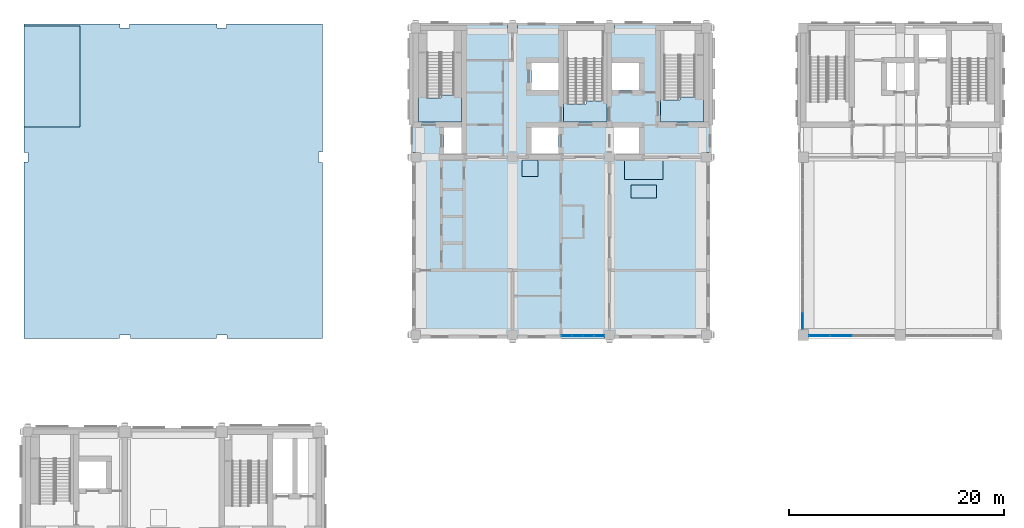
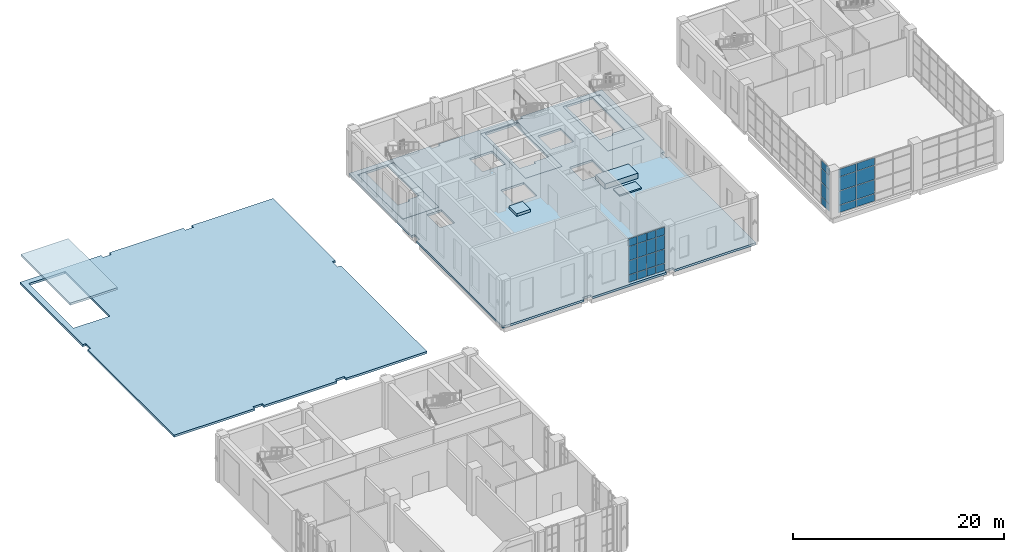
# One storey, part 15 of 33: 28 plates, 9 slabs, 6 elements without a shape of their own.
"""IFC4 building model written with IfcOpenShell, lengths in metres."""

import ifcopenshell
import ifcopenshell.guid

model = None  # the IFC model being written
_history = None  # IfcOwnerHistory: only IFC2X3 demands one
_inside = {}  # id of a spatial element -> (the spatial element, [elements in it])
_under = {}  # id of a project, library or spatial element -> (it, [spatial elements below it])
_declared = {}  # id of a project -> (the project, [libraries it declares])
_typed = {}  # id of a type object -> (the type object, [elements of that type])
_made_of = {}  # id of a material, layer set ... -> (it, [elements and type objects made of it])


def new_model(schema):
    """Start an empty IFC model of exactly this schema.

    Asked for "IFC4X3", IfcOpenShell would pick the latest addendum, in which some entities
    have other attributes; the version numbers below select the first issue.
    IFC2X3 requires an IfcOwnerHistory on every rooted entity: one is made here for all.
    """
    global model, _history
    if schema == "IFC4X3":
        model = ifcopenshell.file(schema_version=(4, 3, 0, 0))
    else:
        model = ifcopenshell.file(schema=schema)
    _inside.clear()
    _under.clear()
    _declared.clear()
    _typed.clear()
    _made_of.clear()
    _history = None
    if model.schema == "IFC2X3":
        org = make("IfcOrganization", Name="unknown")
        user = make(
            "IfcPersonAndOrganization",
            ThePerson=make("IfcPerson", FamilyName="unknown"),
            TheOrganization=org,
        )
        app = make(
            "IfcApplication",
            ApplicationDeveloper=org,
            Version="unknown",
            ApplicationFullName="unknown",
            ApplicationIdentifier="unknown",
        )
        _history = make(
            "IfcOwnerHistory",
            OwningUser=user,
            OwningApplication=app,
            ChangeAction="ADDED",
            CreationDate=0,
        )
    return model


def make(cls, **values):
    """One entity of the class cls with the attributes given. An attribute that is None is left unset."""
    return model.create_entity(
        cls, **{name: value for name, value in values.items() if value is not None}
    )


def rooted(cls, **values):
    """An entity with a GlobalId (a new one), such as an element, a storey or a relation."""
    return make(cls, GlobalId=ifcopenshell.guid.new(), OwnerHistory=_history, **values)


def si_unit(unit_type, name, prefix=None):
    """IfcSIUnit, for example si_unit("LENGTHUNIT", "METRE", prefix="MILLI")."""
    return make("IfcSIUnit", UnitType=unit_type, Prefix=prefix, Name=name)


def assignment(units):
    """IfcUnitAssignment: the units of a project."""
    return None if units is None else make("IfcUnitAssignment", Units=units)


def point(xyz):
    """IfcCartesianPoint."""
    return None if xyz is None else make("IfcCartesianPoint", Coordinates=xyz)


def direction(xyz):
    """IfcDirection."""
    return None if xyz is None else make("IfcDirection", DirectionRatios=xyz)


def frame(location, z_axis=None, x_axis=None):
    """IfcAxis2Placement3D, a coordinate frame: its origin and axes. An axis left out is left unset."""
    return make(
        "IfcAxis2Placement3D",
        Location=point(location),
        Axis=direction(z_axis),
        RefDirection=direction(x_axis),
    )


def frame_2d(location, x_axis=None):
    """IfcAxis2Placement2D, a coordinate frame in the plane: its origin and x axis."""
    return make(
        "IfcAxis2Placement2D", Location=point(location), RefDirection=direction(x_axis)
    )


def origin():
    """The frame at (0, 0, 0) with its axes left unset."""
    return frame((0.0, 0.0, 0.0))


def origin_2d():
    """The frame at (0, 0) in the plane with its x axis left unset."""
    return frame_2d((0.0, 0.0))


def place(relative_to, where):
    """IfcLocalPlacement: puts the frame where relative to a parent placement (None: the world)."""
    return make(
        "IfcLocalPlacement", PlacementRelTo=relative_to, RelativePlacement=where
    )


def context(
    kind, dimensions, precision=None, world=None, true_north=None, identifier=None
):
    """IfcGeometricRepresentationContext, for example the 3D "Model" context."""
    return make(
        "IfcGeometricRepresentationContext",
        ContextIdentifier=identifier,
        ContextType=kind,
        CoordinateSpaceDimension=dimensions,
        Precision=precision,
        WorldCoordinateSystem=world,
        TrueNorth=true_north,
    )


def subcontext(parent, identifier, kind, view, scale=None):
    """IfcGeometricRepresentationSubContext, for example "Body" below "Model"."""
    return make(
        "IfcGeometricRepresentationSubContext",
        ContextIdentifier=identifier,
        ContextType=kind,
        ParentContext=parent,
        TargetScale=scale,
        TargetView=view,
    )


def project(units=None, contexts=None):
    """IfcProject with its units and contexts."""
    return rooted(
        "IfcProject",
        Name="project",
        RepresentationContexts=contexts,
        UnitsInContext=assignment(units),
    )


def spatial(cls, under=None, at=None, **own):
    """A site, building, storey or space (cls), placed at a placement, below another one or the project."""
    s = rooted(cls, ObjectPlacement=at, **own)
    if under is not None:
        _under.setdefault(under.id(), (under, []))[1].append(s)
    return s


def polyline(points):
    """IfcPolyline through the points."""
    return make("IfcPolyline", Points=[point(p) for p in points])


def profile(cls, at=None, kind="AREA", **sizes):
    """A parametric profile (cls). Its sizes go by their IFC names, for example OverallWidth=200.0."""
    return make(cls, ProfileType=kind, Position=at, **sizes)


def rectangle(**sizes):
    """IfcRectangleProfileDef."""
    return profile("IfcRectangleProfileDef", **sizes)


def outline(outer, holes=None, kind="AREA"):
    """IfcArbitraryClosedProfileDef: a profile drawn as a closed curve; with holes, ...WithVoids."""
    if holes is None:
        return make("IfcArbitraryClosedProfileDef", ProfileType=kind, OuterCurve=outer)
    return make(
        "IfcArbitraryProfileDefWithVoids",
        ProfileType=kind,
        OuterCurve=outer,
        InnerCurves=holes,
    )


def extrude(swept, where, along, depth):
    """IfcExtrudedAreaSolid: the profile swept, set in the frame where, extruded along a direction by depth."""
    return make(
        "IfcExtrudedAreaSolid",
        SweptArea=swept,
        Position=where,
        ExtrudedDirection=direction(along),
        Depth=depth,
    )


def shape(context_of_items, identifier, shape_type, items):
    """IfcShapeRepresentation: the items that make up one representation, for example the "Body"."""
    return make(
        "IfcShapeRepresentation",
        ContextOfItems=context_of_items,
        RepresentationIdentifier=identifier,
        RepresentationType=shape_type,
        Items=items,
    )


def material(Name=None, Category=None):
    """IfcMaterial."""
    return make("IfcMaterial", Name=Name, Category=Category)


def layer(
    of_material, thickness, ventilated=None, Name=None, Category=None, Priority=None
):
    """IfcMaterialLayer: one layer of a wall or slab, of a material (None: an air gap)."""
    return make(
        "IfcMaterialLayer",
        Material=of_material,
        LayerThickness=thickness,
        IsVentilated=ventilated,
        Name=Name,
        Category=Category,
        Priority=Priority,
    )


def layer_set(layers, Name=None):
    """IfcMaterialLayerSet."""
    return make("IfcMaterialLayerSet", MaterialLayers=layers, LayerSetName=Name)


def made_of(thing, what):
    """Note that an element or type object is made of a material, layer set ...; save() writes the relation."""
    if what is not None:
        _made_of.setdefault(what.id(), (what, []))[1].append(thing)
    return thing


def type_object(cls, material=None, **own):
    """A type object (cls), such as IfcWallType, which elements share."""
    return made_of(rooted(cls, **own), material)


def element(
    cls,
    number,
    at=None,
    inside=None,
    cuts=None,
    type_object=None,
    material=None,
    context=None,
    identifier="Body",
    shape_type=None,
    held_by="IfcProductDefinitionShape",
    body=None,
    shapes=None,
    **own,
):
    """One element of the class cls, such as IfcWall. Its Tag is "e" and its number.

    at: its placement. inside: the storey or other place that contains it. cuts: it is an
    opening in that element (IfcRelVoidsElement). A single representation is given by context,
    identifier, shape_type and body (its items); several are given by shapes. held_by: the class
    of the entity that holds the representations. save() writes the other relations.
    """
    e = rooted(cls, Tag="e%d" % number, ObjectPlacement=at, **own)
    if body is not None:
        shapes = [shape(context, identifier, shape_type, body)]
    if shapes is not None:
        e.Representation = make(held_by, Representations=shapes)
    if inside is not None:
        _inside.setdefault(inside.id(), (inside, []))[1].append(e)
    if cuts is not None:
        rooted(
            "IfcRelVoidsElement", RelatingBuildingElement=cuts, RelatedOpeningElement=e
        )
    if type_object is not None:
        _typed.setdefault(type_object.id(), (type_object, []))[1].append(e)
    return made_of(e, material)


def aggregate(whole, parts):
    """IfcRelAggregates: a whole, such as a stair, and the parts it consists of."""
    return rooted("IfcRelAggregates", RelatingObject=whole, RelatedObjects=parts)


def save(model, path):
    """Write the relations noted so far, then the file.

    IfcRelAggregates (storeys below a building ...), IfcRelContainedInSpatialStructure (elements
    in a storey), IfcRelDefinesByType, IfcRelAssociatesMaterial and IfcRelDeclares: one each for
    every whole, place, type object, material and project.
    """
    for whole, parts in _under.values():
        aggregate(whole, parts)
    for where, things in _inside.values():
        rooted(
            "IfcRelContainedInSpatialStructure",
            RelatedElements=things,
            RelatingStructure=where,
        )
    for kind, things in _typed.values():
        rooted("IfcRelDefinesByType", RelatedObjects=things, RelatingType=kind)
    for what, things in _made_of.values():
        rooted("IfcRelAssociatesMaterial", RelatedObjects=things, RelatingMaterial=what)
    for by, libraries in _declared.values():
        rooted("IfcRelDeclares", RelatingContext=by, RelatedDefinitions=libraries)
    model.write(path)


model = new_model("IFC4")

# Units and contexts
model_context = context("Model", 3, precision=1e-05, world=origin(), true_north=direction((0.0, 1.0)))
body_context = subcontext(model_context, "Body", "Model", "MODEL_VIEW")
ifc_project = project(units=[si_unit("LENGTHUNIT", "METRE"), si_unit("AREAUNIT", "SQUARE_METRE"), si_unit("VOLUMEUNIT", "CUBIC_METRE"), si_unit("PLANEANGLEUNIT", "RADIAN"), si_unit("MASSUNIT", "GRAM", prefix="KILO")], contexts=[model_context])

# Site, building, storey
site_placement = place(None, origin())
site = spatial("IfcSite", under=ifc_project, at=site_placement, CompositionType="ELEMENT")
building_placement = place(site_placement, origin())
building = spatial("IfcBuilding", under=site, at=building_placement, Name="Aurelan Courthouse", CompositionType="ELEMENT")
storey_placement = place(building_placement, frame((0.0, 0.0, 22.800048828125)))
storey = spatial("IfcBuildingStorey", under=building, at=storey_placement, Name="L04", CompositionType="ELEMENT", Elevation=22.800048828125)

# Curtain wall, plates
ifc_material_1 = material(Name="Bronze-finished aluminium and glass", Category="aluminium")
ifc_layer_1 = layer(ifc_material_1, 0.14990234375)
ifc_layer_set_1 = layer_set([ifc_layer_1], Name="Bronze-finished aluminium and glass")
curtain_wall_type_1 = type_object("IfcCurtainWallType", Name="Curtain wall 8000 x 5150", PredefinedType="NOTDEFINED", material=ifc_layer_set_1)
curtain_wall_1_placement = place(storey_placement, origin())
curtain_wall_1 = element("IfcCurtainWall", 1, at=curtain_wall_1_placement, inside=storey, type_object=curtain_wall_type_1, Name="Curtain wall CW-V3-L04-S01", PredefinedType="NOTDEFINED")
ifc_material_2 = material(Name="Bronze-finished aluminium", Category="aluminium")
ifc_layer_2 = layer(ifc_material_2, 0.070068359375)
ifc_layer_set_2 = layer_set([ifc_layer_2], Name="Bronze-finished aluminium")
plate_type_1 = type_object("IfcPlateType", Name="Bronze spandrel panel 70", PredefinedType="CURTAIN_PANEL", material=ifc_layer_set_2)
plate_1_placement = place(storey_placement, frame((73.514892578125, 37.425048828125, 4.22998046875), z_axis=(0.0, 0.0, 1.0), x_axis=(1.0, 0.0, 0.0)))
plate_1 = element("IfcPlate", 2, at=plate_1_placement, type_object=plate_type_1, Name="CW-V3-L04-S01 spandrel panel 1.4", PredefinedType="CURTAIN_PANEL", context=body_context, shape_type="SweptSolid", body=[
    extrude(rectangle(XDim=1.909912109375, YDim=0.070068359375, at=origin_2d()), origin(), (0.0, 0.0, 1.0), 0.860107421875),
])
plate_2_placement = place(storey_placement, frame((75.5, 37.425048828125, 4.22998046875), z_axis=(0.0, 0.0, 1.0), x_axis=(1.0, 0.0, 0.0)))
plate_2 = element("IfcPlate", 3, at=plate_2_placement, type_object=plate_type_1, Name="CW-V3-L04-S01 spandrel panel 2.4", PredefinedType="CURTAIN_PANEL", context=body_context, shape_type="SweptSolid", body=[
    extrude(rectangle(XDim=1.93994140625, YDim=0.070068359375, at=origin_2d()), origin(), (0.0, 0.0, 1.0), 0.860107421875),
])

# Curtain wall, plate
ifc_layer_3 = layer(ifc_material_1, 0.14990234375)
ifc_layer_set_3 = layer_set([ifc_layer_3], Name="Bronze-finished aluminium and glass")
curtain_wall_type_2 = type_object("IfcCurtainWallType", Name="Curtain wall 15500 x 5150", PredefinedType="NOTDEFINED", material=ifc_layer_set_3)
curtain_wall_2_placement = place(storey_placement, origin())
curtain_wall_2 = element("IfcCurtainWall", 4, at=curtain_wall_2_placement, inside=storey, type_object=curtain_wall_type_2, Name="Curtain wall CW-V3-L04-W01", PredefinedType="NOTDEFINED")
plate_3_placement = place(storey_placement, frame((71.925048828125, 38.7900390625, 4.22998046875), z_axis=(0.0, 0.0, 1.0), x_axis=(0.0, 1.0, 0.0)))
plate_3 = element("IfcPlate", 5, at=plate_3_placement, type_object=plate_type_1, Name="CW-V3-L04-W01 spandrel panel 1.4", PredefinedType="CURTAIN_PANEL", context=body_context, shape_type="SweptSolid", body=[
    extrude(rectangle(XDim=1.4599609375, YDim=0.070068359375, at=origin_2d()), origin(), (0.0, 0.0, 1.0), 0.860107421875),
])

# Curtain wall, plates
ifc_layer_4 = layer(ifc_material_1, 0.14990234375)
ifc_layer_set_4 = layer_set([ifc_layer_4], Name="Bronze-finished aluminium and glass")
curtain_wall_type_3 = type_object("IfcCurtainWallType", Name="Curtain wall 4050 x 5150", PredefinedType="NOTDEFINED", material=ifc_layer_set_4)
curtain_wall_3_placement = place(storey_placement, origin())
curtain_wall_3 = element("IfcCurtainWall", 6, at=curtain_wall_3_placement, inside=storey, type_object=curtain_wall_type_3, Name="Curtain wall CW-V2-L04-S01", PredefinedType="NOTDEFINED")
ifc_layer_5 = layer(ifc_material_2, 0.080078125)
ifc_layer_set_5 = layer_set([ifc_layer_5], Name="Bronze-finished aluminium")
plate_type_2 = type_object("IfcPlateType", Name="Bronze spandrel panel 80", PredefinedType="CURTAIN_PANEL", material=ifc_layer_set_5)
plate_4_placement = place(storey_placement, frame((50.018798828125, 37.425048828125, 4.224853515625), z_axis=(0.0, 0.0, 1.0), x_axis=(1.0, 0.0, 0.0)))
plate_4 = element("IfcPlate", 7, at=plate_4_placement, type_object=plate_type_2, Name="CW-V2-L04-S01 spandrel panel 1.4", PredefinedType="CURTAIN_PANEL", context=body_context, shape_type="SweptSolid", body=[
    extrude(rectangle(XDim=0.9375, YDim=0.080078125, at=origin_2d()), origin(), (0.0, 0.0, 1.0), 0.875),
])
plate_5_placement = place(storey_placement, frame((51.018798828125, 37.425048828125, 4.224853515625), z_axis=(0.0, 0.0, 1.0), x_axis=(1.0, 0.0, 0.0)))
plate_5 = element("IfcPlate", 8, at=plate_5_placement, type_object=plate_type_2, Name="CW-V2-L04-S01 spandrel panel 2.4", PredefinedType="CURTAIN_PANEL", context=body_context, shape_type="SweptSolid", body=[
    extrude(rectangle(XDim=0.96240234375, YDim=0.080078125, at=origin_2d()), origin(), (0.0, 0.0, 1.0), 0.875),
])
plate_6_placement = place(storey_placement, frame((52.03125, 37.425048828125, 4.224853515625), z_axis=(0.0, 0.0, 1.0), x_axis=(1.0, 0.0, 0.0)))
plate_6 = element("IfcPlate", 9, at=plate_6_placement, type_object=plate_type_2, Name="CW-V2-L04-S01 spandrel panel 3.4", PredefinedType="CURTAIN_PANEL", context=body_context, shape_type="SweptSolid", body=[
    extrude(rectangle(XDim=0.96240234375, YDim=0.080078125, at=origin_2d()), origin(), (0.0, 0.0, 1.0), 0.875),
])
plate_7_placement = place(storey_placement, frame((53.03125, 37.425048828125, 4.224853515625), z_axis=(0.0, 0.0, 1.0), x_axis=(1.0, 0.0, 0.0)))
plate_7 = element("IfcPlate", 10, at=plate_7_placement, type_object=plate_type_2, Name="CW-V2-L04-S01 spandrel panel 4.4", PredefinedType="CURTAIN_PANEL", context=body_context, shape_type="SweptSolid", body=[
    extrude(rectangle(XDim=0.9375, YDim=0.080078125, at=origin_2d()), origin(), (0.0, 0.0, 1.0), 0.875),
])

# Slabs
ifc_material_3 = material(Name="Concrete C30", Category="concrete")
ifc_layer_6 = layer(ifc_material_3, 0.14990234375)
ifc_layer_set_6 = layer_set([ifc_layer_6], Name="Concrete C30")
slab_type_1 = type_object("IfcSlabType", Name="Clerk's dais 150", PredefinedType="FLOOR", material=ifc_layer_set_6)
slab_1_placement = place(storey_placement, origin())
element("IfcSlab", 11, at=slab_1_placement, inside=storey, type_object=slab_type_1, Name="Clerk's dais Family Courtroom 2.04.01", PredefinedType="FLOOR", context=body_context, shape_type="SweptSolid", body=[
    extrude(outline(polyline([(55.97509765625, 50.22509765625), (58.375, 50.22509765625), (58.375, 51.425048828125), (55.97509765625, 51.425048828125), (55.97509765625, 50.22509765625)])), origin(), (0.0, 0.0, 1.0), 0.14990234375),
])
ifc_material_4 = material(Name="Concrete C40", Category="concrete")
ifc_layer_7 = layer(ifc_material_4, 0.25)
ifc_layer_set_7 = layer_set([ifc_layer_7], Name="Concrete C40")
slab_type_2 = type_object("IfcSlabType", Name="Head house roof slab 250", PredefinedType="ROOF", material=ifc_layer_set_7)
slab_2_placement = place(storey_placement, frame((0.0, 0.0, 3.099853515625)))
element("IfcSlab", 12, at=slab_2_placement, inside=storey, type_object=slab_type_2, Name="Head house roof HH-ST-6", PredefinedType="ROOF", context=body_context, shape_type="SweptSolid", body=[
    extrude(outline(polyline([(-0.35009765625, 56.824951171875), (4.85009765625, 56.824951171875), (4.85009765625, 66.175048828125), (-0.35009765625, 66.175048828125), (-0.35009765625, 56.824951171875)])), origin(), (0.0, 0.0, 1.0), 0.25),
])
ifc_layer_8 = layer(ifc_material_3, 0.610107421875)
ifc_layer_set_8 = layer_set([ifc_layer_8], Name="Concrete C30")
slab_type_3 = type_object("IfcSlabType", Name="Judge's bench dais 610", PredefinedType="FLOOR", material=ifc_layer_set_8)
slab_3_placement = place(storey_placement, origin())
element("IfcSlab", 13, at=slab_3_placement, inside=storey, type_object=slab_type_3, Name="Judge's bench dais Family Courtroom 2.04.01", PredefinedType="FLOOR", context=body_context, shape_type="SweptSolid", body=[
    extrude(outline(polyline([(55.375, 51.925048828125), (58.97509765625, 51.925048828125), (58.97509765625, 53.72509765625), (55.375, 53.72509765625), (55.375, 51.925048828125)])), origin(), (0.0, 0.0, 1.0), 0.60986328125),
])
ifc_layer_9 = layer(ifc_material_4, 0.25)
ifc_layer_set_9 = layer_set([ifc_layer_9], Name="Concrete C40")
slab_type_4 = type_object("IfcSlabType", Name="PT floor slab 250", PredefinedType="FLOOR", material=ifc_layer_set_9)
slab_4_placement = place(storey_placement, frame((0.0, 0.0, -0.25)))
element("IfcSlab", 14, at=slab_4_placement, inside=storey, type_object=slab_type_4, Name="Floor slab SL-L04-01", PredefinedType="FLOOR", context=body_context, shape_type="SweptSolid", body=[
    extrude(outline(polyline([(35.64990234375, 66.35009765625), (35.64990234375, 65.550048828125), (35.64990234375, 54.449951171875), (36.0, 54.449951171875), (36.0, 53.550048828125), (35.64990234375, 53.550048828125), (35.64990234375, 37.949951171875), (35.64990234375, 37.14990234375), (36.449951171875, 37.14990234375), (44.550048828125, 37.14990234375), (44.550048828125, 37.5), (45.449951171875, 37.5), (45.449951171875, 37.14990234375), (53.550048828125, 37.14990234375), (53.550048828125, 37.5), (54.449951171875, 37.5), (54.449951171875, 37.14990234375), (62.550048828125, 37.14990234375), (63.35009765625, 37.14990234375), (63.35009765625, 37.949951171875), (63.35009765625, 53.550048828125), (63.0, 53.550048828125), (63.0, 54.449951171875), (63.35009765625, 54.449951171875), (63.35009765625, 65.550048828125), (63.35009765625, 66.35009765625), (62.550048828125, 66.35009765625), (54.449951171875, 66.35009765625), (54.449951171875, 66.0), (53.550048828125, 66.0), (53.550048828125, 66.35009765625), (45.449951171875, 66.35009765625), (45.449951171875, 66.0), (44.550048828125, 66.0), (44.550048828125, 66.35009765625), (36.449951171875, 66.35009765625), (35.64990234375, 66.35009765625)]), holes=[polyline([(58.75, 65.75), (62.75, 65.75), (62.75, 57.25), (58.75, 57.25), (58.75, 65.75)]), polyline([(56.75, 56.75), (56.75, 54.25), (54.25, 54.25), (54.25, 56.75), (56.75, 56.75)]), polyline([(56.75, 60.25), (54.25, 60.25), (54.25, 62.75), (56.75, 62.75), (56.75, 60.25)]), polyline([(49.75, 57.25), (49.75, 65.75), (53.75, 65.75), (53.75, 57.25), (49.75, 57.25)]), polyline([(46.75, 56.75), (49.25, 56.75), (49.25, 54.25), (46.75, 54.25), (46.75, 56.75)]), polyline([(46.75, 60.25), (46.75, 62.75), (49.25, 62.75), (49.25, 60.25), (46.75, 60.25)]), polyline([(40.25, 56.75), (40.25, 54.25), (38.64990234375, 54.25), (38.64990234375, 56.75), (40.25, 56.75)]), polyline([(40.25, 57.25), (36.25, 57.25), (36.25, 65.75), (40.25, 65.75), (40.25, 57.25)])]), origin(), (0.0, 0.0, 1.0), 0.25),
])
ifc_layer_10 = layer(ifc_material_4, 0.25)
ifc_layer_set_10 = layer_set([ifc_layer_10], Name="Concrete C40")
slab_type_5 = type_object("IfcSlabType", Name="Roof slab 250", PredefinedType="ROOF", material=ifc_layer_set_10)
slab_5_placement = place(storey_placement, frame((0.0, 0.0, -0.25)))
element("IfcSlab", 15, at=slab_5_placement, inside=storey, type_object=slab_type_5, Name="Roof slab V6 SL-L03-05", PredefinedType="ROOF", context=body_context, shape_type="SweptSolid", body=[
    extrude(outline(polyline([(-0.35009765625, 37.14990234375), (0.449951171875, 37.14990234375), (8.5, 37.14990234375), (8.5, 37.5), (9.5, 37.5), (9.5, 37.14990234375), (17.5, 37.14990234375), (17.5, 37.5), (18.5, 37.5), (18.5, 37.14990234375), (26.5, 37.14990234375), (27.35009765625, 37.14990234375), (27.35009765625, 38.0), (27.35009765625, 53.5), (27.0, 53.5), (27.0, 54.5), (27.35009765625, 54.5), (27.35009765625, 65.550048828125), (27.35009765625, 66.35009765625), (26.550048828125, 66.35009765625), (18.449951171875, 66.35009765625), (18.449951171875, 66.0), (17.550048828125, 66.0), (17.550048828125, 66.35009765625), (9.449951171875, 66.35009765625), (9.449951171875, 66.0), (8.550048828125, 66.0), (8.550048828125, 66.35009765625), (0.449951171875, 66.35009765625), (-0.35009765625, 66.35009765625), (-0.35009765625, 65.550048828125), (-0.35009765625, 54.449951171875), (0.0, 54.449951171875), (0.0, 53.550048828125), (-0.35009765625, 53.550048828125), (-0.35009765625, 37.949951171875), (-0.35009765625, 37.14990234375)]), holes=[polyline([(4.25, 65.75), (4.25, 57.25), (0.25, 57.25), (0.25, 65.75), (4.25, 65.75)])]), origin(), (0.0, 0.0, 1.0), 0.25),
])

# Plate
ifc_layer_11 = layer(ifc_material_2, 0.0400390625)
ifc_layer_set_11 = layer_set([ifc_layer_11], Name="Bronze-finished aluminium")
plate_type_3 = type_object("IfcPlateType", Name="Sill panel 40", PredefinedType="CURTAIN_PANEL", material=ifc_layer_set_11)
plate_8_placement = place(storey_placement, frame((50.018798828125, 37.425048828125, 0.0498046875), z_axis=(0.0, 0.0, 1.0), x_axis=(1.0, 0.0, 0.0)))
plate_8 = element("IfcPlate", 16, at=plate_8_placement, type_object=plate_type_3, Name="CW-V2-L04-S01 sill panel 1.1", PredefinedType="CURTAIN_PANEL", context=body_context, shape_type="SweptSolid", body=[
    extrude(rectangle(XDim=0.9375, YDim=0.0400390625, at=origin_2d()), origin(), (0.0, 0.0, 1.0), 0.824951171875),
])

plate_9_placement = place(storey_placement, frame((51.018798828125, 37.425048828125, 0.0498046875), z_axis=(0.0, 0.0, 1.0), x_axis=(1.0, 0.0, 0.0)))
plate_9 = element("IfcPlate", 17, at=plate_9_placement, type_object=plate_type_3, Name="CW-V2-L04-S01 sill panel 2.1", PredefinedType="CURTAIN_PANEL", context=body_context, shape_type="SweptSolid", body=[
    extrude(rectangle(XDim=0.96240234375, YDim=0.0400390625, at=origin_2d()), origin(), (0.0, 0.0, 1.0), 0.824951171875),
])

plate_10_placement = place(storey_placement, frame((52.03125, 37.425048828125, 0.0498046875), z_axis=(0.0, 0.0, 1.0), x_axis=(1.0, 0.0, 0.0)))
plate_10 = element("IfcPlate", 18, at=plate_10_placement, type_object=plate_type_3, Name="CW-V2-L04-S01 sill panel 3.1", PredefinedType="CURTAIN_PANEL", context=body_context, shape_type="SweptSolid", body=[
    extrude(rectangle(XDim=0.96240234375, YDim=0.0400390625, at=origin_2d()), origin(), (0.0, 0.0, 1.0), 0.824951171875),
])

plate_11_placement = place(storey_placement, frame((53.03125, 37.425048828125, 0.0498046875), z_axis=(0.0, 0.0, 1.0), x_axis=(1.0, 0.0, 0.0)))
plate_11 = element("IfcPlate", 19, at=plate_11_placement, type_object=plate_type_3, Name="CW-V2-L04-S01 sill panel 4.1", PredefinedType="CURTAIN_PANEL", context=body_context, shape_type="SweptSolid", body=[
    extrude(rectangle(XDim=0.9375, YDim=0.0400390625, at=origin_2d()), origin(), (0.0, 0.0, 1.0), 0.824951171875),
])

plate_12_placement = place(storey_placement, frame((73.514892578125, 37.425048828125, 0.059814453125), z_axis=(0.0, 0.0, 1.0), x_axis=(1.0, 0.0, 0.0)))
plate_12 = element("IfcPlate", 20, at=plate_12_placement, type_object=plate_type_3, Name="CW-V3-L04-S01 sill panel 1.1", PredefinedType="CURTAIN_PANEL", context=body_context, shape_type="SweptSolid", body=[
    extrude(rectangle(XDim=1.909912109375, YDim=0.0400390625, at=origin_2d()), origin(), (0.0, 0.0, 1.0), 0.81005859375),
])

plate_13_placement = place(storey_placement, frame((75.5, 37.425048828125, 0.059814453125), z_axis=(0.0, 0.0, 1.0), x_axis=(1.0, 0.0, 0.0)))
plate_13 = element("IfcPlate", 21, at=plate_13_placement, type_object=plate_type_3, Name="CW-V3-L04-S01 sill panel 2.1", PredefinedType="CURTAIN_PANEL", context=body_context, shape_type="SweptSolid", body=[
    extrude(rectangle(XDim=1.93994140625, YDim=0.0400390625, at=origin_2d()), origin(), (0.0, 0.0, 1.0), 0.81005859375),
])

plate_14_placement = place(storey_placement, frame((71.925048828125, 38.7900390625, 0.059814453125), z_axis=(0.0, 0.0, 1.0), x_axis=(0.0, 1.0, 0.0)))
plate_14 = element("IfcPlate", 22, at=plate_14_placement, type_object=plate_type_3, Name="CW-V3-L04-W01 sill panel 1.1", PredefinedType="CURTAIN_PANEL", context=body_context, shape_type="SweptSolid", body=[
    extrude(rectangle(XDim=1.4599609375, YDim=0.0400390625, at=origin_2d()), origin(), (0.0, 0.0, 1.0), 0.81005859375),
])

# Stair, slab
stair_type_1 = type_object("IfcStairType", Name="Half-turn stair 1200 wide 31 risers", PredefinedType="HALF_TURN_STAIR", material=ifc_material_3)
stair_1_placement = place(storey_placement, origin())
stair_1 = element("IfcStair", 23, at=stair_1_placement, inside=storey, type_object=stair_type_1, Name="Stair CS-2-L04", PredefinedType="HALF_TURN_STAIR")
ifc_layer_12 = layer(ifc_material_3, 0.25)
ifc_layer_set_12 = layer_set([ifc_layer_12], Name="Concrete C30")
slab_type_6 = type_object("IfcSlabType", Name="Stair floor landing 250 thick", PredefinedType="LANDING", material=ifc_layer_set_12)
slab_6_placement = place(storey_placement, frame((0.0, 0.0, -0.25)))
slab_6 = element("IfcSlab", 24, at=slab_6_placement, type_object=slab_type_6, Name="Stair CS-2-L04 floor landing", PredefinedType="LANDING", context=body_context, shape_type="SweptSolid", body=[
    extrude(outline(polyline([(37.06005859375, 59.510986328125), (38.360107421875, 59.510986328125), (38.360107421875, 59.791015625), (39.56005859375, 59.791015625), (39.56005859375, 65.75), (40.25, 65.75), (40.25, 57.25), (36.25, 57.25), (36.25, 65.550048828125), (36.449951171875, 65.550048828125), (36.449951171875, 65.75), (37.06005859375, 65.75), (37.06005859375, 59.510986328125)])), origin(), (0.0, 0.0, 1.0), 0.25),
])
aggregate(stair_1, [slab_6])

stair_type_2 = type_object("IfcStairType", Name="Half-turn stair 1600 wide 31 risers", PredefinedType="HALF_TURN_STAIR", material=ifc_material_3)
stair_2_placement = place(storey_placement, origin())
stair_2 = element("IfcStair", 25, at=stair_2_placement, inside=storey, type_object=stair_type_2, Name="Stair ST-2A-L04", PredefinedType="HALF_TURN_STAIR")
slab_7_placement = place(storey_placement, frame((0.0, 0.0, -0.25)))
slab_7 = element("IfcSlab", 26, at=slab_7_placement, type_object=slab_type_6, Name="Stair ST-2A-L04 floor landing", PredefinedType="LANDING", context=body_context, shape_type="SweptSolid", body=[
    extrude(outline(polyline([(53.75, 57.25), (49.75, 57.25), (49.75, 65.590087890625), (49.75, 65.60009765625), (49.75, 65.75), (53.550048828125, 65.75), (53.550048828125, 65.550048828125), (53.75, 65.550048828125), (53.75, 57.25)]), holes=[polyline([(51.800048828125, 58.9609375), (51.800048828125, 59.240966796875), (53.39990234375, 59.240966796875), (53.39990234375, 65.590087890625), (50.10009765625, 65.590087890625), (50.10009765625, 58.9609375), (51.800048828125, 58.9609375)])]), origin(), (0.0, 0.0, 1.0), 0.25),
])
aggregate(stair_2, [slab_7])

stair_type_3 = type_object("IfcStairType", Name="Half-turn stair 1400 wide 31 risers", PredefinedType="HALF_TURN_STAIR", material=ifc_material_3)
stair_3_placement = place(storey_placement, origin())
stair_3 = element("IfcStair", 27, at=stair_3_placement, inside=storey, type_object=stair_type_3, Name="Stair ST-2E-L04", PredefinedType="HALF_TURN_STAIR")
slab_8_placement = place(storey_placement, frame((0.0, 0.0, -0.25)))
slab_8 = element("IfcSlab", 28, at=slab_8_placement, type_object=slab_type_6, Name="Stair ST-2E-L04 floor landing", PredefinedType="LANDING", context=body_context, shape_type="SweptSolid", body=[
    extrude(outline(polyline([(59.0400390625, 59.31103515625), (60.5400390625, 59.31103515625), (60.5400390625, 59.591064453125), (61.93994140625, 59.591064453125), (61.93994140625, 65.75), (62.550048828125, 65.75), (62.550048828125, 65.550048828125), (62.75, 65.550048828125), (62.75, 57.25), (58.75, 57.25), (58.75, 65.75), (59.0400390625, 65.75), (59.0400390625, 59.31103515625)])), origin(), (0.0, 0.0, 1.0), 0.25),
])
aggregate(stair_3, [slab_8])

# Plate
ifc_material_5 = material(Name="Laminated low-emissivity glass", Category="glass")
ifc_layer_13 = layer(ifc_material_5, 0.02392578125)
ifc_layer_set_13 = layer_set([ifc_layer_13], Name="Laminated low-emissivity glass")
plate_type_4 = type_object("IfcPlateType", Name="Vision glass panel 24", PredefinedType="CURTAIN_PANEL", material=ifc_layer_set_13)
plate_15_placement = place(storey_placement, frame((50.018798828125, 37.425048828125, 0.9248046875), z_axis=(0.0, 0.0, 1.0), x_axis=(1.0, 0.0, 0.0)))
plate_15 = element("IfcPlate", 29, at=plate_15_placement, type_object=plate_type_4, Name="CW-V2-L04-S01 vision panel 1.2", PredefinedType="CURTAIN_PANEL", context=body_context, shape_type="SweptSolid", body=[
    extrude(rectangle(XDim=0.9375, YDim=0.02392578125, at=origin_2d()), origin(), (0.0, 0.0, 1.0), 1.60009765625),
])

plate_16_placement = place(storey_placement, frame((50.018798828125, 37.425048828125, 2.574951171875), z_axis=(0.0, 0.0, 1.0), x_axis=(1.0, 0.0, 0.0)))
plate_16 = element("IfcPlate", 30, at=plate_16_placement, type_object=plate_type_4, Name="CW-V2-L04-S01 vision panel 1.3", PredefinedType="CURTAIN_PANEL", context=body_context, shape_type="SweptSolid", body=[
    extrude(rectangle(XDim=0.9375, YDim=0.02392578125, at=origin_2d()), origin(), (0.0, 0.0, 1.0), 1.60009765625),
])

plate_17_placement = place(storey_placement, frame((51.018798828125, 37.425048828125, 0.9248046875), z_axis=(0.0, 0.0, 1.0), x_axis=(1.0, 0.0, 0.0)))
plate_17 = element("IfcPlate", 31, at=plate_17_placement, type_object=plate_type_4, Name="CW-V2-L04-S01 vision panel 2.2", PredefinedType="CURTAIN_PANEL", context=body_context, shape_type="SweptSolid", body=[
    extrude(rectangle(XDim=0.96240234375, YDim=0.02392578125, at=origin_2d()), origin(), (0.0, 0.0, 1.0), 1.60009765625),
])

plate_18_placement = place(storey_placement, frame((51.018798828125, 37.425048828125, 2.574951171875), z_axis=(0.0, 0.0, 1.0), x_axis=(1.0, 0.0, 0.0)))
plate_18 = element("IfcPlate", 32, at=plate_18_placement, type_object=plate_type_4, Name="CW-V2-L04-S01 vision panel 2.3", PredefinedType="CURTAIN_PANEL", context=body_context, shape_type="SweptSolid", body=[
    extrude(rectangle(XDim=0.96240234375, YDim=0.02392578125, at=origin_2d()), origin(), (0.0, 0.0, 1.0), 1.60009765625),
])

plate_19_placement = place(storey_placement, frame((52.03125, 37.425048828125, 0.9248046875), z_axis=(0.0, 0.0, 1.0), x_axis=(1.0, 0.0, 0.0)))
plate_19 = element("IfcPlate", 33, at=plate_19_placement, type_object=plate_type_4, Name="CW-V2-L04-S01 vision panel 3.2", PredefinedType="CURTAIN_PANEL", context=body_context, shape_type="SweptSolid", body=[
    extrude(rectangle(XDim=0.96240234375, YDim=0.02392578125, at=origin_2d()), origin(), (0.0, 0.0, 1.0), 1.60009765625),
])

plate_20_placement = place(storey_placement, frame((52.03125, 37.425048828125, 2.574951171875), z_axis=(0.0, 0.0, 1.0), x_axis=(1.0, 0.0, 0.0)))
plate_20 = element("IfcPlate", 34, at=plate_20_placement, type_object=plate_type_4, Name="CW-V2-L04-S01 vision panel 3.3", PredefinedType="CURTAIN_PANEL", context=body_context, shape_type="SweptSolid", body=[
    extrude(rectangle(XDim=0.96240234375, YDim=0.02392578125, at=origin_2d()), origin(), (0.0, 0.0, 1.0), 1.60009765625),
])

plate_21_placement = place(storey_placement, frame((53.03125, 37.425048828125, 0.9248046875), z_axis=(0.0, 0.0, 1.0), x_axis=(1.0, 0.0, 0.0)))
plate_21 = element("IfcPlate", 35, at=plate_21_placement, type_object=plate_type_4, Name="CW-V2-L04-S01 vision panel 4.2", PredefinedType="CURTAIN_PANEL", context=body_context, shape_type="SweptSolid", body=[
    extrude(rectangle(XDim=0.9375, YDim=0.02392578125, at=origin_2d()), origin(), (0.0, 0.0, 1.0), 1.60009765625),
])

plate_22_placement = place(storey_placement, frame((53.03125, 37.425048828125, 2.574951171875), z_axis=(0.0, 0.0, 1.0), x_axis=(1.0, 0.0, 0.0)))
plate_22 = element("IfcPlate", 36, at=plate_22_placement, type_object=plate_type_4, Name="CW-V2-L04-S01 vision panel 4.3", PredefinedType="CURTAIN_PANEL", context=body_context, shape_type="SweptSolid", body=[
    extrude(rectangle(XDim=0.9375, YDim=0.02392578125, at=origin_2d()), origin(), (0.0, 0.0, 1.0), 1.60009765625),
])

aggregate(curtain_wall_3, [plate_8, plate_15, plate_16, plate_4, plate_9, plate_17, plate_18, plate_5, plate_10, plate_19, plate_20, plate_6, plate_11, plate_21, plate_22, plate_7])

ifc_layer_14 = layer(ifc_material_5, 0.031982421875)
ifc_layer_set_14 = layer_set([ifc_layer_14], Name="Laminated low-emissivity glass")
plate_type_5 = type_object("IfcPlateType", Name="Vision glass panel 32", PredefinedType="CURTAIN_PANEL", material=ifc_layer_set_14)
plate_23_placement = place(storey_placement, frame((73.514892578125, 37.425048828125, 0.9296875), z_axis=(0.0, 0.0, 1.0), x_axis=(1.0, 0.0, 0.0)))
plate_23 = element("IfcPlate", 37, at=plate_23_placement, type_object=plate_type_5, Name="CW-V3-L04-S01 vision panel 1.2", PredefinedType="CURTAIN_PANEL", context=body_context, shape_type="SweptSolid", body=[
    extrude(rectangle(XDim=1.909912109375, YDim=0.031982421875, at=origin_2d()), origin(), (0.0, 0.0, 1.0), 1.590087890625),
])

plate_24_placement = place(storey_placement, frame((73.514892578125, 37.425048828125, 2.580078125), z_axis=(0.0, 0.0, 1.0), x_axis=(1.0, 0.0, 0.0)))
plate_24 = element("IfcPlate", 38, at=plate_24_placement, type_object=plate_type_5, Name="CW-V3-L04-S01 vision panel 1.3", PredefinedType="CURTAIN_PANEL", context=body_context, shape_type="SweptSolid", body=[
    extrude(rectangle(XDim=1.909912109375, YDim=0.031982421875, at=origin_2d()), origin(), (0.0, 0.0, 1.0), 1.590087890625),
])

plate_25_placement = place(storey_placement, frame((75.5, 37.425048828125, 0.9296875), z_axis=(0.0, 0.0, 1.0), x_axis=(1.0, 0.0, 0.0)))
plate_25 = element("IfcPlate", 39, at=plate_25_placement, type_object=plate_type_5, Name="CW-V3-L04-S01 vision panel 2.2", PredefinedType="CURTAIN_PANEL", context=body_context, shape_type="SweptSolid", body=[
    extrude(rectangle(XDim=1.93994140625, YDim=0.031982421875, at=origin_2d()), origin(), (0.0, 0.0, 1.0), 1.590087890625),
])

plate_26_placement = place(storey_placement, frame((75.5, 37.425048828125, 2.580078125), z_axis=(0.0, 0.0, 1.0), x_axis=(1.0, 0.0, 0.0)))
plate_26 = element("IfcPlate", 40, at=plate_26_placement, type_object=plate_type_5, Name="CW-V3-L04-S01 vision panel 2.3", PredefinedType="CURTAIN_PANEL", context=body_context, shape_type="SweptSolid", body=[
    extrude(rectangle(XDim=1.93994140625, YDim=0.031982421875, at=origin_2d()), origin(), (0.0, 0.0, 1.0), 1.590087890625),
])

aggregate(curtain_wall_1, [plate_12, plate_23, plate_24, plate_1, plate_13, plate_25, plate_26, plate_2])

plate_27_placement = place(storey_placement, frame((71.925048828125, 38.7900390625, 0.9296875), z_axis=(0.0, 0.0, 1.0), x_axis=(0.0, 1.0, 0.0)))
plate_27 = element("IfcPlate", 41, at=plate_27_placement, type_object=plate_type_5, Name="CW-V3-L04-W01 vision panel 1.2", PredefinedType="CURTAIN_PANEL", context=body_context, shape_type="SweptSolid", body=[
    extrude(rectangle(XDim=1.4599609375, YDim=0.031982421875, at=origin_2d()), origin(), (0.0, 0.0, 1.0), 1.590087890625),
])

plate_28_placement = place(storey_placement, frame((71.925048828125, 38.7900390625, 2.580078125), z_axis=(0.0, 0.0, 1.0), x_axis=(0.0, 1.0, 0.0)))
plate_28 = element("IfcPlate", 42, at=plate_28_placement, type_object=plate_type_5, Name="CW-V3-L04-W01 vision panel 1.3", PredefinedType="CURTAIN_PANEL", context=body_context, shape_type="SweptSolid", body=[
    extrude(rectangle(XDim=1.4599609375, YDim=0.031982421875, at=origin_2d()), origin(), (0.0, 0.0, 1.0), 1.590087890625),
])

aggregate(curtain_wall_2, [plate_14, plate_27, plate_28, plate_3])

# Slab
ifc_layer_15 = layer(ifc_material_3, 0.300048828125)
ifc_layer_set_15 = layer_set([ifc_layer_15], Name="Concrete C30")
slab_type_7 = type_object("IfcSlabType", Name="Witness dais 300", PredefinedType="FLOOR", material=ifc_layer_set_15)
slab_9_placement = place(storey_placement, origin())
element("IfcSlab", 43, at=slab_9_placement, inside=storey, type_object=slab_type_7, Name="Witness dais Criminal Courtroom 2.04.01", PredefinedType="FLOOR", context=body_context, shape_type="SweptSolid", body=[
    extrude(outline(polyline([(45.875, 52.22509765625), (47.375, 52.22509765625), (47.375, 53.72509765625), (45.875, 53.72509765625), (45.875, 52.22509765625)])), origin(), (0.0, 0.0, 1.0), 0.300048828125),
])

save(model, "model.ifc")
